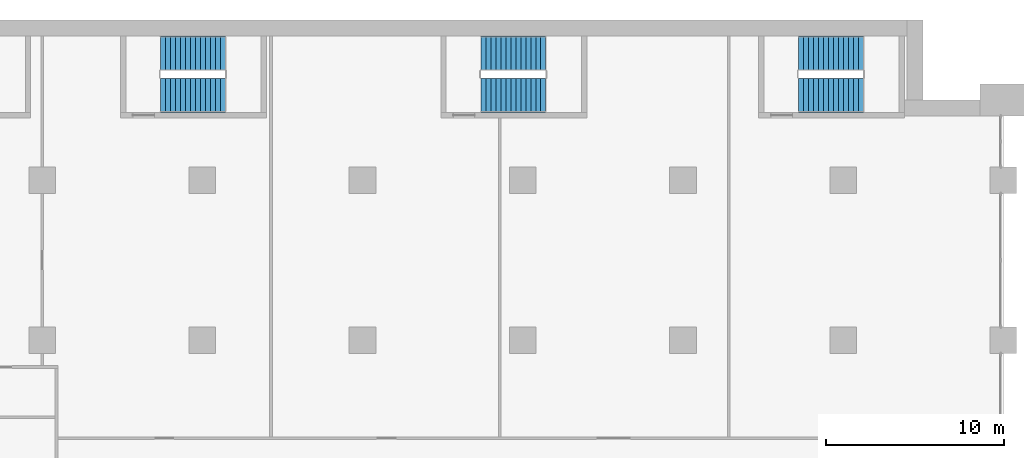
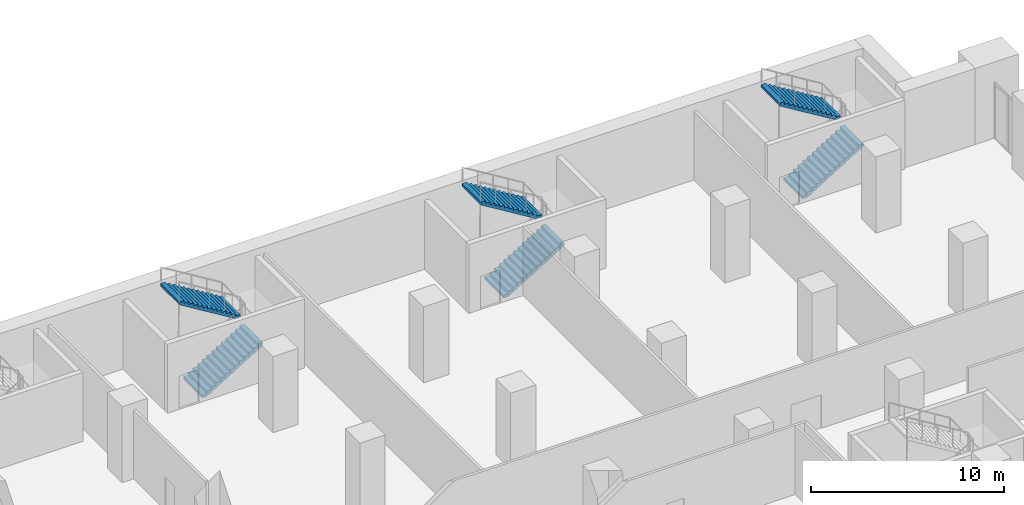
# One storey, part 23 of 32: 6 stair flights, 3 elements without a shape of their own.
"""IFC4 building model written with IfcOpenShell, lengths in metres."""

from ifc_helpers import new_model, si_unit, direction, frame, origin, place, context, subcontext, project, spatial, polyline, outline, extrude, material, type_object, element, aggregate, save


model = new_model("IFC4")

# Units and contexts
model_context = context("Model", 3, precision=1e-05, world=origin(), true_north=direction((0.0, 1.0)))
body_context = subcontext(model_context, "Body", "Model", "MODEL_VIEW")
ifc_project = project(units=[si_unit("LENGTHUNIT", "METRE"), si_unit("AREAUNIT", "SQUARE_METRE"), si_unit("VOLUMEUNIT", "CUBIC_METRE"), si_unit("PLANEANGLEUNIT", "RADIAN"), si_unit("MASSUNIT", "GRAM", prefix="KILO")], contexts=[model_context])

# Site, building, storey
site_placement = place(None, origin())
site = spatial("IfcSite", under=ifc_project, at=site_placement, CompositionType="ELEMENT")
building_placement = place(site_placement, origin())
building = spatial("IfcBuilding", under=site, at=building_placement, Name="Hunhe Ridgeline Campus", CompositionType="ELEMENT")
storey_placement = place(building_placement, frame((0.0, 0.0, 26.39990234375)))
storey = spatial("IfcBuildingStorey", under=building, at=storey_placement, Name="L05", CompositionType="ELEMENT", Elevation=26.39990234375)

# Stair, stair flights
ifc_material = material(Name="Concrete C40", Category="concrete")
stair_type = type_object("IfcStairType", Name="Reinforced concrete dog-leg stair 1950 Concrete C40", PredefinedType="HALF_TURN_STAIR", material=ifc_material)
stair_1_placement = place(storey_placement, origin())
stair_1 = element("IfcStair", 1, at=stair_1_placement, inside=storey, type_object=stair_type, Name="L05 E2", PredefinedType="HALF_TURN_STAIR")
stair_flight_type = type_object("IfcStairFlightType", Name="Reinforced concrete stair flight 1950 Concrete C40", PredefinedType="STRAIGHT", material=ifc_material)
stair_flight_1_placement = place(storey_placement, frame((51.64990234375, 94.77490234375, 0.0), z_axis=(0.0, 0.0, 1.0), x_axis=(1.0, 0.0, 0.0)))
stair_flight_1 = element("IfcStairFlight", 2, at=stair_flight_1_placement, type_object=stair_flight_type, Name="ST6 flight 1", NumberOfRisers=14, NumberOfTreads=13, PredefinedType="STRAIGHT", RiserHeight=0.171428571, TreadLength=0.28, context=body_context, shape_type="SweptSolid", body=[
    extrude(outline(polyline([(0.0, 0.0), (0.0, 0.17138671875), (0.280029296875, 0.17138671875), (0.280029296875, 0.3427734375), (0.56005859375, 0.3427734375), (0.56005859375, 0.514404296875), (0.840087890625, 0.514404296875), (0.840087890625, 0.685791015625), (1.1201171875, 0.685791015625), (1.1201171875, 0.857177734375), (1.39990234375, 0.857177734375), (1.39990234375, 1.028564453125), (1.679931640625, 1.028564453125), (1.679931640625, 1.199951171875), (1.9599609375, 1.199951171875), (1.9599609375, 1.371337890625), (2.239990234375, 1.371337890625), (2.239990234375, 1.54296875), (2.52001953125, 1.54296875), (2.52001953125, 1.71435546875), (2.800048828125, 1.71435546875), (2.800048828125, 1.8857421875), (3.080078125, 1.8857421875), (3.080078125, 2.05712890625), (3.360107421875, 2.05712890625), (3.360107421875, 2.228515625), (3.639892578125, 2.228515625), (3.639892578125, 2.39990234375), (3.639892578125, 2.052734375), (0.287109375, 0.0), (0.0, 0.0)])), frame((0.0, 0.97509765625, 0.0), z_axis=(0.0, -1.0, 0.0), x_axis=(1.0, 0.0, 0.0)), (0.0, 0.0, 1.0), 1.949951171875),
    extrude(outline(polyline([(0.030029296875, 0.030029296875), (0.030029296875, 0.141357421875), (0.31005859375, 0.141357421875), (0.31005859375, 0.31298828125), (0.590087890625, 0.31298828125), (0.590087890625, 0.484375), (0.8701171875, 0.484375), (0.8701171875, 0.65576171875), (1.14990234375, 0.65576171875), (1.14990234375, 0.8271484375), (1.429931640625, 0.8271484375), (1.429931640625, 0.99853515625), (1.7099609375, 0.99853515625), (1.7099609375, 1.169921875), (1.989990234375, 1.169921875), (1.989990234375, 1.34130859375), (2.27001953125, 1.34130859375), (2.27001953125, 1.512939453125), (2.550048828125, 1.512939453125), (2.550048828125, 1.684326171875), (2.830078125, 1.684326171875), (2.830078125, 1.855712890625), (3.110107421875, 1.855712890625), (3.110107421875, 2.027099609375), (3.389892578125, 2.027099609375), (3.389892578125, 2.198486328125), (3.610107421875, 2.198486328125), (3.610107421875, 2.069580078125), (0.278564453125, 0.030029296875), (0.030029296875, 0.030029296875)])), frame((0.0, -0.070068359375, 0.0), z_axis=(0.0, -1.0, 0.0), x_axis=(1.0, 0.0, 0.0)), (0.0, 0.0, 1.0), 0.019775390625),
    extrude(outline(polyline([(0.030029296875, 0.030029296875), (0.030029296875, 0.141357421875), (0.31005859375, 0.141357421875), (0.31005859375, 0.31298828125), (0.590087890625, 0.31298828125), (0.590087890625, 0.484375), (0.8701171875, 0.484375), (0.8701171875, 0.65576171875), (1.14990234375, 0.65576171875), (1.14990234375, 0.8271484375), (1.429931640625, 0.8271484375), (1.429931640625, 0.99853515625), (1.7099609375, 0.99853515625), (1.7099609375, 1.169921875), (1.989990234375, 1.169921875), (1.989990234375, 1.34130859375), (2.27001953125, 1.34130859375), (2.27001953125, 1.512939453125), (2.550048828125, 1.512939453125), (2.550048828125, 1.684326171875), (2.830078125, 1.684326171875), (2.830078125, 1.855712890625), (3.110107421875, 1.855712890625), (3.110107421875, 2.027099609375), (3.389892578125, 2.027099609375), (3.389892578125, 2.198486328125), (3.610107421875, 2.198486328125), (3.610107421875, 2.069580078125), (0.278564453125, 0.030029296875), (0.030029296875, 0.030029296875)])), frame((0.0, 0.010009765625, 0.0), z_axis=(0.0, -1.0, 0.0), x_axis=(1.0, 0.0, 0.0)), (0.0, 0.0, 1.0), 0.019775390625),
    extrude(outline(polyline([(0.030029296875, 0.030029296875), (0.030029296875, 0.141357421875), (0.31005859375, 0.141357421875), (0.31005859375, 0.31298828125), (0.590087890625, 0.31298828125), (0.590087890625, 0.484375), (0.8701171875, 0.484375), (0.8701171875, 0.65576171875), (1.14990234375, 0.65576171875), (1.14990234375, 0.8271484375), (1.429931640625, 0.8271484375), (1.429931640625, 0.99853515625), (1.7099609375, 0.99853515625), (1.7099609375, 1.169921875), (1.989990234375, 1.169921875), (1.989990234375, 1.34130859375), (2.27001953125, 1.34130859375), (2.27001953125, 1.512939453125), (2.550048828125, 1.512939453125), (2.550048828125, 1.684326171875), (2.830078125, 1.684326171875), (2.830078125, 1.855712890625), (3.110107421875, 1.855712890625), (3.110107421875, 2.027099609375), (3.389892578125, 2.027099609375), (3.389892578125, 2.198486328125), (3.610107421875, 2.198486328125), (3.610107421875, 2.069580078125), (0.278564453125, 0.030029296875), (0.030029296875, 0.030029296875)])), frame((0.0, 0.090087890625, 0.0), z_axis=(0.0, -1.0, 0.0), x_axis=(1.0, 0.0, 0.0)), (0.0, 0.0, 1.0), 0.019775390625),
])
stair_flight_2_placement = place(storey_placement, frame((55.2900390625, 97.125, 2.400146484375), z_axis=(0.0, 0.0, 1.0), x_axis=(-1.0, 0.0, 0.0)))
stair_flight_2 = element("IfcStairFlight", 3, at=stair_flight_2_placement, type_object=stair_flight_type, Name="ST6 flight 2", NumberOfRisers=14, NumberOfTreads=13, PredefinedType="STRAIGHT", RiserHeight=0.171428571, TreadLength=0.28, context=body_context, shape_type="SweptSolid", body=[
    extrude(outline(polyline([(0.0, 0.0), (0.0, 0.17138671875), (0.280029296875, 0.17138671875), (0.280029296875, 0.3427734375), (0.56005859375, 0.3427734375), (0.56005859375, 0.514404296875), (0.840087890625, 0.514404296875), (0.840087890625, 0.685791015625), (1.1201171875, 0.685791015625), (1.1201171875, 0.857177734375), (1.39990234375, 0.857177734375), (1.39990234375, 1.028564453125), (1.679931640625, 1.028564453125), (1.679931640625, 1.199951171875), (1.9599609375, 1.199951171875), (1.9599609375, 1.371337890625), (2.239990234375, 1.371337890625), (2.239990234375, 1.54296875), (2.52001953125, 1.54296875), (2.52001953125, 1.71435546875), (2.800048828125, 1.71435546875), (2.800048828125, 1.8857421875), (3.080078125, 1.8857421875), (3.080078125, 2.05712890625), (3.360107421875, 2.05712890625), (3.360107421875, 2.228515625), (3.639892578125, 2.228515625), (3.639892578125, 2.39990234375), (3.639892578125, 2.052734375), (0.287109375, 0.0), (0.0, 0.0)])), frame((0.0, 0.97509765625, 0.0), z_axis=(0.0, -1.0, 0.0), x_axis=(1.0, 0.0, 0.0)), (0.0, 0.0, 1.0), 1.949951171875),
    extrude(outline(polyline([(0.030029296875, 0.030029296875), (0.030029296875, 0.141357421875), (0.31005859375, 0.141357421875), (0.31005859375, 0.31298828125), (0.590087890625, 0.31298828125), (0.590087890625, 0.484375), (0.8701171875, 0.484375), (0.8701171875, 0.65576171875), (1.14990234375, 0.65576171875), (1.14990234375, 0.8271484375), (1.429931640625, 0.8271484375), (1.429931640625, 0.99853515625), (1.7099609375, 0.99853515625), (1.7099609375, 1.169921875), (1.989990234375, 1.169921875), (1.989990234375, 1.34130859375), (2.27001953125, 1.34130859375), (2.27001953125, 1.512939453125), (2.550048828125, 1.512939453125), (2.550048828125, 1.684326171875), (2.830078125, 1.684326171875), (2.830078125, 1.855712890625), (3.110107421875, 1.855712890625), (3.110107421875, 2.027099609375), (3.389892578125, 2.027099609375), (3.389892578125, 2.198486328125), (3.610107421875, 2.198486328125), (3.610107421875, 2.069580078125), (0.278564453125, 0.030029296875), (0.030029296875, 0.030029296875)])), frame((0.0, -0.070068359375, 0.0), z_axis=(0.0, -1.0, 0.0), x_axis=(1.0, 0.0, 0.0)), (0.0, 0.0, 1.0), 0.019775390625),
    extrude(outline(polyline([(0.030029296875, 0.030029296875), (0.030029296875, 0.141357421875), (0.31005859375, 0.141357421875), (0.31005859375, 0.31298828125), (0.590087890625, 0.31298828125), (0.590087890625, 0.484375), (0.8701171875, 0.484375), (0.8701171875, 0.65576171875), (1.14990234375, 0.65576171875), (1.14990234375, 0.8271484375), (1.429931640625, 0.8271484375), (1.429931640625, 0.99853515625), (1.7099609375, 0.99853515625), (1.7099609375, 1.169921875), (1.989990234375, 1.169921875), (1.989990234375, 1.34130859375), (2.27001953125, 1.34130859375), (2.27001953125, 1.512939453125), (2.550048828125, 1.512939453125), (2.550048828125, 1.684326171875), (2.830078125, 1.684326171875), (2.830078125, 1.855712890625), (3.110107421875, 1.855712890625), (3.110107421875, 2.027099609375), (3.389892578125, 2.027099609375), (3.389892578125, 2.198486328125), (3.610107421875, 2.198486328125), (3.610107421875, 2.069580078125), (0.278564453125, 0.030029296875), (0.030029296875, 0.030029296875)])), frame((0.0, 0.010009765625, 0.0), z_axis=(0.0, -1.0, 0.0), x_axis=(1.0, 0.0, 0.0)), (0.0, 0.0, 1.0), 0.019775390625),
    extrude(outline(polyline([(0.030029296875, 0.030029296875), (0.030029296875, 0.141357421875), (0.31005859375, 0.141357421875), (0.31005859375, 0.31298828125), (0.590087890625, 0.31298828125), (0.590087890625, 0.484375), (0.8701171875, 0.484375), (0.8701171875, 0.65576171875), (1.14990234375, 0.65576171875), (1.14990234375, 0.8271484375), (1.429931640625, 0.8271484375), (1.429931640625, 0.99853515625), (1.7099609375, 0.99853515625), (1.7099609375, 1.169921875), (1.989990234375, 1.169921875), (1.989990234375, 1.34130859375), (2.27001953125, 1.34130859375), (2.27001953125, 1.512939453125), (2.550048828125, 1.512939453125), (2.550048828125, 1.684326171875), (2.830078125, 1.684326171875), (2.830078125, 1.855712890625), (3.110107421875, 1.855712890625), (3.110107421875, 2.027099609375), (3.389892578125, 2.027099609375), (3.389892578125, 2.198486328125), (3.610107421875, 2.198486328125), (3.610107421875, 2.069580078125), (0.278564453125, 0.030029296875), (0.030029296875, 0.030029296875)])), frame((0.0, 0.090087890625, 0.0), z_axis=(0.0, -1.0, 0.0), x_axis=(1.0, 0.0, 0.0)), (0.0, 0.0, 1.0), 0.019775390625),
])
aggregate(stair_1, [stair_flight_1, stair_flight_2])

stair_2_placement = place(storey_placement, origin())
stair_2 = element("IfcStair", 4, at=stair_2_placement, inside=storey, type_object=stair_type, Name="L05 E3", PredefinedType="HALF_TURN_STAIR")
stair_flight_3_placement = place(storey_placement, frame((69.64990234375, 94.77490234375, 0.0), z_axis=(0.0, 0.0, 1.0), x_axis=(1.0, 0.0, 0.0)))
stair_flight_3 = element("IfcStairFlight", 5, at=stair_flight_3_placement, type_object=stair_flight_type, Name="ST7 flight 1", NumberOfRisers=14, NumberOfTreads=13, PredefinedType="STRAIGHT", RiserHeight=0.171428571, TreadLength=0.28, context=body_context, shape_type="SweptSolid", body=[
    extrude(outline(polyline([(0.0, 0.0), (0.0, 0.17138671875), (0.280029296875, 0.17138671875), (0.280029296875, 0.3427734375), (0.56005859375, 0.3427734375), (0.56005859375, 0.514404296875), (0.840087890625, 0.514404296875), (0.840087890625, 0.685791015625), (1.1201171875, 0.685791015625), (1.1201171875, 0.857177734375), (1.39990234375, 0.857177734375), (1.39990234375, 1.028564453125), (1.679931640625, 1.028564453125), (1.679931640625, 1.199951171875), (1.9599609375, 1.199951171875), (1.9599609375, 1.371337890625), (2.239990234375, 1.371337890625), (2.239990234375, 1.54296875), (2.52001953125, 1.54296875), (2.52001953125, 1.71435546875), (2.800048828125, 1.71435546875), (2.800048828125, 1.8857421875), (3.080078125, 1.8857421875), (3.080078125, 2.05712890625), (3.360107421875, 2.05712890625), (3.360107421875, 2.228515625), (3.639892578125, 2.228515625), (3.639892578125, 2.39990234375), (3.639892578125, 2.052734375), (0.287109375, 0.0), (0.0, 0.0)])), frame((0.0, 0.97509765625, 0.0), z_axis=(0.0, -1.0, 0.0), x_axis=(1.0, 0.0, 0.0)), (0.0, 0.0, 1.0), 1.949951171875),
    extrude(outline(polyline([(0.030029296875, 0.030029296875), (0.030029296875, 0.141357421875), (0.31005859375, 0.141357421875), (0.31005859375, 0.31298828125), (0.590087890625, 0.31298828125), (0.590087890625, 0.484375), (0.8701171875, 0.484375), (0.8701171875, 0.65576171875), (1.14990234375, 0.65576171875), (1.14990234375, 0.8271484375), (1.429931640625, 0.8271484375), (1.429931640625, 0.99853515625), (1.7099609375, 0.99853515625), (1.7099609375, 1.169921875), (1.989990234375, 1.169921875), (1.989990234375, 1.34130859375), (2.27001953125, 1.34130859375), (2.27001953125, 1.512939453125), (2.550048828125, 1.512939453125), (2.550048828125, 1.684326171875), (2.830078125, 1.684326171875), (2.830078125, 1.855712890625), (3.110107421875, 1.855712890625), (3.110107421875, 2.027099609375), (3.389892578125, 2.027099609375), (3.389892578125, 2.198486328125), (3.610107421875, 2.198486328125), (3.610107421875, 2.069580078125), (0.278564453125, 0.030029296875), (0.030029296875, 0.030029296875)])), frame((0.0, -0.070068359375, 0.0), z_axis=(0.0, -1.0, 0.0), x_axis=(1.0, 0.0, 0.0)), (0.0, 0.0, 1.0), 0.019775390625),
    extrude(outline(polyline([(0.030029296875, 0.030029296875), (0.030029296875, 0.141357421875), (0.31005859375, 0.141357421875), (0.31005859375, 0.31298828125), (0.590087890625, 0.31298828125), (0.590087890625, 0.484375), (0.8701171875, 0.484375), (0.8701171875, 0.65576171875), (1.14990234375, 0.65576171875), (1.14990234375, 0.8271484375), (1.429931640625, 0.8271484375), (1.429931640625, 0.99853515625), (1.7099609375, 0.99853515625), (1.7099609375, 1.169921875), (1.989990234375, 1.169921875), (1.989990234375, 1.34130859375), (2.27001953125, 1.34130859375), (2.27001953125, 1.512939453125), (2.550048828125, 1.512939453125), (2.550048828125, 1.684326171875), (2.830078125, 1.684326171875), (2.830078125, 1.855712890625), (3.110107421875, 1.855712890625), (3.110107421875, 2.027099609375), (3.389892578125, 2.027099609375), (3.389892578125, 2.198486328125), (3.610107421875, 2.198486328125), (3.610107421875, 2.069580078125), (0.278564453125, 0.030029296875), (0.030029296875, 0.030029296875)])), frame((0.0, 0.010009765625, 0.0), z_axis=(0.0, -1.0, 0.0), x_axis=(1.0, 0.0, 0.0)), (0.0, 0.0, 1.0), 0.019775390625),
    extrude(outline(polyline([(0.030029296875, 0.030029296875), (0.030029296875, 0.141357421875), (0.31005859375, 0.141357421875), (0.31005859375, 0.31298828125), (0.590087890625, 0.31298828125), (0.590087890625, 0.484375), (0.8701171875, 0.484375), (0.8701171875, 0.65576171875), (1.14990234375, 0.65576171875), (1.14990234375, 0.8271484375), (1.429931640625, 0.8271484375), (1.429931640625, 0.99853515625), (1.7099609375, 0.99853515625), (1.7099609375, 1.169921875), (1.989990234375, 1.169921875), (1.989990234375, 1.34130859375), (2.27001953125, 1.34130859375), (2.27001953125, 1.512939453125), (2.550048828125, 1.512939453125), (2.550048828125, 1.684326171875), (2.830078125, 1.684326171875), (2.830078125, 1.855712890625), (3.110107421875, 1.855712890625), (3.110107421875, 2.027099609375), (3.389892578125, 2.027099609375), (3.389892578125, 2.198486328125), (3.610107421875, 2.198486328125), (3.610107421875, 2.069580078125), (0.278564453125, 0.030029296875), (0.030029296875, 0.030029296875)])), frame((0.0, 0.090087890625, 0.0), z_axis=(0.0, -1.0, 0.0), x_axis=(1.0, 0.0, 0.0)), (0.0, 0.0, 1.0), 0.019775390625),
])
stair_flight_4_placement = place(storey_placement, frame((73.2900390625, 97.125, 2.400146484375), z_axis=(0.0, 0.0, 1.0), x_axis=(-1.0, 0.0, 0.0)))
stair_flight_4 = element("IfcStairFlight", 6, at=stair_flight_4_placement, type_object=stair_flight_type, Name="ST7 flight 2", NumberOfRisers=14, NumberOfTreads=13, PredefinedType="STRAIGHT", RiserHeight=0.171428571, TreadLength=0.28, context=body_context, shape_type="SweptSolid", body=[
    extrude(outline(polyline([(0.0, 0.0), (0.0, 0.17138671875), (0.280029296875, 0.17138671875), (0.280029296875, 0.3427734375), (0.56005859375, 0.3427734375), (0.56005859375, 0.514404296875), (0.840087890625, 0.514404296875), (0.840087890625, 0.685791015625), (1.1201171875, 0.685791015625), (1.1201171875, 0.857177734375), (1.39990234375, 0.857177734375), (1.39990234375, 1.028564453125), (1.679931640625, 1.028564453125), (1.679931640625, 1.199951171875), (1.9599609375, 1.199951171875), (1.9599609375, 1.371337890625), (2.239990234375, 1.371337890625), (2.239990234375, 1.54296875), (2.52001953125, 1.54296875), (2.52001953125, 1.71435546875), (2.800048828125, 1.71435546875), (2.800048828125, 1.8857421875), (3.080078125, 1.8857421875), (3.080078125, 2.05712890625), (3.360107421875, 2.05712890625), (3.360107421875, 2.228515625), (3.639892578125, 2.228515625), (3.639892578125, 2.39990234375), (3.639892578125, 2.052734375), (0.287109375, 0.0), (0.0, 0.0)])), frame((0.0, 0.97509765625, 0.0), z_axis=(0.0, -1.0, 0.0), x_axis=(1.0, 0.0, 0.0)), (0.0, 0.0, 1.0), 1.949951171875),
    extrude(outline(polyline([(0.030029296875, 0.030029296875), (0.030029296875, 0.141357421875), (0.31005859375, 0.141357421875), (0.31005859375, 0.31298828125), (0.590087890625, 0.31298828125), (0.590087890625, 0.484375), (0.8701171875, 0.484375), (0.8701171875, 0.65576171875), (1.14990234375, 0.65576171875), (1.14990234375, 0.8271484375), (1.429931640625, 0.8271484375), (1.429931640625, 0.99853515625), (1.7099609375, 0.99853515625), (1.7099609375, 1.169921875), (1.989990234375, 1.169921875), (1.989990234375, 1.34130859375), (2.27001953125, 1.34130859375), (2.27001953125, 1.512939453125), (2.550048828125, 1.512939453125), (2.550048828125, 1.684326171875), (2.830078125, 1.684326171875), (2.830078125, 1.855712890625), (3.110107421875, 1.855712890625), (3.110107421875, 2.027099609375), (3.389892578125, 2.027099609375), (3.389892578125, 2.198486328125), (3.610107421875, 2.198486328125), (3.610107421875, 2.069580078125), (0.278564453125, 0.030029296875), (0.030029296875, 0.030029296875)])), frame((0.0, -0.070068359375, 0.0), z_axis=(0.0, -1.0, 0.0), x_axis=(1.0, 0.0, 0.0)), (0.0, 0.0, 1.0), 0.019775390625),
    extrude(outline(polyline([(0.030029296875, 0.030029296875), (0.030029296875, 0.141357421875), (0.31005859375, 0.141357421875), (0.31005859375, 0.31298828125), (0.590087890625, 0.31298828125), (0.590087890625, 0.484375), (0.8701171875, 0.484375), (0.8701171875, 0.65576171875), (1.14990234375, 0.65576171875), (1.14990234375, 0.8271484375), (1.429931640625, 0.8271484375), (1.429931640625, 0.99853515625), (1.7099609375, 0.99853515625), (1.7099609375, 1.169921875), (1.989990234375, 1.169921875), (1.989990234375, 1.34130859375), (2.27001953125, 1.34130859375), (2.27001953125, 1.512939453125), (2.550048828125, 1.512939453125), (2.550048828125, 1.684326171875), (2.830078125, 1.684326171875), (2.830078125, 1.855712890625), (3.110107421875, 1.855712890625), (3.110107421875, 2.027099609375), (3.389892578125, 2.027099609375), (3.389892578125, 2.198486328125), (3.610107421875, 2.198486328125), (3.610107421875, 2.069580078125), (0.278564453125, 0.030029296875), (0.030029296875, 0.030029296875)])), frame((0.0, 0.010009765625, 0.0), z_axis=(0.0, -1.0, 0.0), x_axis=(1.0, 0.0, 0.0)), (0.0, 0.0, 1.0), 0.019775390625),
    extrude(outline(polyline([(0.030029296875, 0.030029296875), (0.030029296875, 0.141357421875), (0.31005859375, 0.141357421875), (0.31005859375, 0.31298828125), (0.590087890625, 0.31298828125), (0.590087890625, 0.484375), (0.8701171875, 0.484375), (0.8701171875, 0.65576171875), (1.14990234375, 0.65576171875), (1.14990234375, 0.8271484375), (1.429931640625, 0.8271484375), (1.429931640625, 0.99853515625), (1.7099609375, 0.99853515625), (1.7099609375, 1.169921875), (1.989990234375, 1.169921875), (1.989990234375, 1.34130859375), (2.27001953125, 1.34130859375), (2.27001953125, 1.512939453125), (2.550048828125, 1.512939453125), (2.550048828125, 1.684326171875), (2.830078125, 1.684326171875), (2.830078125, 1.855712890625), (3.110107421875, 1.855712890625), (3.110107421875, 2.027099609375), (3.389892578125, 2.027099609375), (3.389892578125, 2.198486328125), (3.610107421875, 2.198486328125), (3.610107421875, 2.069580078125), (0.278564453125, 0.030029296875), (0.030029296875, 0.030029296875)])), frame((0.0, 0.090087890625, 0.0), z_axis=(0.0, -1.0, 0.0), x_axis=(1.0, 0.0, 0.0)), (0.0, 0.0, 1.0), 0.019775390625),
])
aggregate(stair_2, [stair_flight_3, stair_flight_4])

stair_3_placement = place(storey_placement, origin())
stair_3 = element("IfcStair", 7, at=stair_3_placement, inside=storey, type_object=stair_type, Name="L05 E4", PredefinedType="HALF_TURN_STAIR")
stair_flight_5_placement = place(storey_placement, frame((87.5, 94.77490234375, 0.0), z_axis=(0.0, 0.0, 1.0), x_axis=(1.0, 0.0, 0.0)))
stair_flight_5 = element("IfcStairFlight", 8, at=stair_flight_5_placement, type_object=stair_flight_type, Name="ST8 flight 1", NumberOfRisers=14, NumberOfTreads=13, PredefinedType="STRAIGHT", RiserHeight=0.171428571, TreadLength=0.28, context=body_context, shape_type="SweptSolid", body=[
    extrude(outline(polyline([(0.0, 0.0), (0.0, 0.17138671875), (0.280029296875, 0.17138671875), (0.280029296875, 0.3427734375), (0.56005859375, 0.3427734375), (0.56005859375, 0.514404296875), (0.840087890625, 0.514404296875), (0.840087890625, 0.685791015625), (1.1201171875, 0.685791015625), (1.1201171875, 0.857177734375), (1.39990234375, 0.857177734375), (1.39990234375, 1.028564453125), (1.679931640625, 1.028564453125), (1.679931640625, 1.199951171875), (1.9599609375, 1.199951171875), (1.9599609375, 1.371337890625), (2.239990234375, 1.371337890625), (2.239990234375, 1.54296875), (2.52001953125, 1.54296875), (2.52001953125, 1.71435546875), (2.800048828125, 1.71435546875), (2.800048828125, 1.8857421875), (3.080078125, 1.8857421875), (3.080078125, 2.05712890625), (3.360107421875, 2.05712890625), (3.360107421875, 2.228515625), (3.639892578125, 2.228515625), (3.639892578125, 2.39990234375), (3.639892578125, 2.052734375), (0.287109375, 0.0), (0.0, 0.0)])), frame((0.0, 0.97509765625, 0.0), z_axis=(0.0, -1.0, 0.0), x_axis=(1.0, 0.0, 0.0)), (0.0, 0.0, 1.0), 1.949951171875),
    extrude(outline(polyline([(0.030029296875, 0.030029296875), (0.030029296875, 0.141357421875), (0.31005859375, 0.141357421875), (0.31005859375, 0.31298828125), (0.590087890625, 0.31298828125), (0.590087890625, 0.484375), (0.8701171875, 0.484375), (0.8701171875, 0.65576171875), (1.14990234375, 0.65576171875), (1.14990234375, 0.8271484375), (1.429931640625, 0.8271484375), (1.429931640625, 0.99853515625), (1.7099609375, 0.99853515625), (1.7099609375, 1.169921875), (1.989990234375, 1.169921875), (1.989990234375, 1.34130859375), (2.27001953125, 1.34130859375), (2.27001953125, 1.512939453125), (2.550048828125, 1.512939453125), (2.550048828125, 1.684326171875), (2.830078125, 1.684326171875), (2.830078125, 1.855712890625), (3.110107421875, 1.855712890625), (3.110107421875, 2.027099609375), (3.389892578125, 2.027099609375), (3.389892578125, 2.198486328125), (3.610107421875, 2.198486328125), (3.610107421875, 2.069580078125), (0.278564453125, 0.030029296875), (0.030029296875, 0.030029296875)])), frame((0.0, -0.070068359375, 0.0), z_axis=(0.0, -1.0, 0.0), x_axis=(1.0, 0.0, 0.0)), (0.0, 0.0, 1.0), 0.019775390625),
    extrude(outline(polyline([(0.030029296875, 0.030029296875), (0.030029296875, 0.141357421875), (0.31005859375, 0.141357421875), (0.31005859375, 0.31298828125), (0.590087890625, 0.31298828125), (0.590087890625, 0.484375), (0.8701171875, 0.484375), (0.8701171875, 0.65576171875), (1.14990234375, 0.65576171875), (1.14990234375, 0.8271484375), (1.429931640625, 0.8271484375), (1.429931640625, 0.99853515625), (1.7099609375, 0.99853515625), (1.7099609375, 1.169921875), (1.989990234375, 1.169921875), (1.989990234375, 1.34130859375), (2.27001953125, 1.34130859375), (2.27001953125, 1.512939453125), (2.550048828125, 1.512939453125), (2.550048828125, 1.684326171875), (2.830078125, 1.684326171875), (2.830078125, 1.855712890625), (3.110107421875, 1.855712890625), (3.110107421875, 2.027099609375), (3.389892578125, 2.027099609375), (3.389892578125, 2.198486328125), (3.610107421875, 2.198486328125), (3.610107421875, 2.069580078125), (0.278564453125, 0.030029296875), (0.030029296875, 0.030029296875)])), frame((0.0, 0.010009765625, 0.0), z_axis=(0.0, -1.0, 0.0), x_axis=(1.0, 0.0, 0.0)), (0.0, 0.0, 1.0), 0.019775390625),
    extrude(outline(polyline([(0.030029296875, 0.030029296875), (0.030029296875, 0.141357421875), (0.31005859375, 0.141357421875), (0.31005859375, 0.31298828125), (0.590087890625, 0.31298828125), (0.590087890625, 0.484375), (0.8701171875, 0.484375), (0.8701171875, 0.65576171875), (1.14990234375, 0.65576171875), (1.14990234375, 0.8271484375), (1.429931640625, 0.8271484375), (1.429931640625, 0.99853515625), (1.7099609375, 0.99853515625), (1.7099609375, 1.169921875), (1.989990234375, 1.169921875), (1.989990234375, 1.34130859375), (2.27001953125, 1.34130859375), (2.27001953125, 1.512939453125), (2.550048828125, 1.512939453125), (2.550048828125, 1.684326171875), (2.830078125, 1.684326171875), (2.830078125, 1.855712890625), (3.110107421875, 1.855712890625), (3.110107421875, 2.027099609375), (3.389892578125, 2.027099609375), (3.389892578125, 2.198486328125), (3.610107421875, 2.198486328125), (3.610107421875, 2.069580078125), (0.278564453125, 0.030029296875), (0.030029296875, 0.030029296875)])), frame((0.0, 0.090087890625, 0.0), z_axis=(0.0, -1.0, 0.0), x_axis=(1.0, 0.0, 0.0)), (0.0, 0.0, 1.0), 0.019775390625),
])
stair_flight_6_placement = place(storey_placement, frame((91.139892578125, 97.125, 2.400146484375), z_axis=(0.0, 0.0, 1.0), x_axis=(-1.0, 0.0, 0.0)))
stair_flight_6 = element("IfcStairFlight", 9, at=stair_flight_6_placement, type_object=stair_flight_type, Name="ST8 flight 2", NumberOfRisers=14, NumberOfTreads=13, PredefinedType="STRAIGHT", RiserHeight=0.171428571, TreadLength=0.28, context=body_context, shape_type="SweptSolid", body=[
    extrude(outline(polyline([(0.0, 0.0), (0.0, 0.17138671875), (0.280029296875, 0.17138671875), (0.280029296875, 0.3427734375), (0.56005859375, 0.3427734375), (0.56005859375, 0.514404296875), (0.840087890625, 0.514404296875), (0.840087890625, 0.685791015625), (1.1201171875, 0.685791015625), (1.1201171875, 0.857177734375), (1.39990234375, 0.857177734375), (1.39990234375, 1.028564453125), (1.679931640625, 1.028564453125), (1.679931640625, 1.199951171875), (1.9599609375, 1.199951171875), (1.9599609375, 1.371337890625), (2.239990234375, 1.371337890625), (2.239990234375, 1.54296875), (2.52001953125, 1.54296875), (2.52001953125, 1.71435546875), (2.800048828125, 1.71435546875), (2.800048828125, 1.8857421875), (3.080078125, 1.8857421875), (3.080078125, 2.05712890625), (3.360107421875, 2.05712890625), (3.360107421875, 2.228515625), (3.639892578125, 2.228515625), (3.639892578125, 2.39990234375), (3.639892578125, 2.052734375), (0.287109375, 0.0), (0.0, 0.0)])), frame((0.0, 0.97509765625, 0.0), z_axis=(0.0, -1.0, 0.0), x_axis=(1.0, 0.0, 0.0)), (0.0, 0.0, 1.0), 1.949951171875),
    extrude(outline(polyline([(0.030029296875, 0.030029296875), (0.030029296875, 0.141357421875), (0.31005859375, 0.141357421875), (0.31005859375, 0.31298828125), (0.590087890625, 0.31298828125), (0.590087890625, 0.484375), (0.8701171875, 0.484375), (0.8701171875, 0.65576171875), (1.14990234375, 0.65576171875), (1.14990234375, 0.8271484375), (1.429931640625, 0.8271484375), (1.429931640625, 0.99853515625), (1.7099609375, 0.99853515625), (1.7099609375, 1.169921875), (1.989990234375, 1.169921875), (1.989990234375, 1.34130859375), (2.27001953125, 1.34130859375), (2.27001953125, 1.512939453125), (2.550048828125, 1.512939453125), (2.550048828125, 1.684326171875), (2.830078125, 1.684326171875), (2.830078125, 1.855712890625), (3.110107421875, 1.855712890625), (3.110107421875, 2.027099609375), (3.389892578125, 2.027099609375), (3.389892578125, 2.198486328125), (3.610107421875, 2.198486328125), (3.610107421875, 2.069580078125), (0.278564453125, 0.030029296875), (0.030029296875, 0.030029296875)])), frame((0.0, -0.070068359375, 0.0), z_axis=(0.0, -1.0, 0.0), x_axis=(1.0, 0.0, 0.0)), (0.0, 0.0, 1.0), 0.019775390625),
    extrude(outline(polyline([(0.030029296875, 0.030029296875), (0.030029296875, 0.141357421875), (0.31005859375, 0.141357421875), (0.31005859375, 0.31298828125), (0.590087890625, 0.31298828125), (0.590087890625, 0.484375), (0.8701171875, 0.484375), (0.8701171875, 0.65576171875), (1.14990234375, 0.65576171875), (1.14990234375, 0.8271484375), (1.429931640625, 0.8271484375), (1.429931640625, 0.99853515625), (1.7099609375, 0.99853515625), (1.7099609375, 1.169921875), (1.989990234375, 1.169921875), (1.989990234375, 1.34130859375), (2.27001953125, 1.34130859375), (2.27001953125, 1.512939453125), (2.550048828125, 1.512939453125), (2.550048828125, 1.684326171875), (2.830078125, 1.684326171875), (2.830078125, 1.855712890625), (3.110107421875, 1.855712890625), (3.110107421875, 2.027099609375), (3.389892578125, 2.027099609375), (3.389892578125, 2.198486328125), (3.610107421875, 2.198486328125), (3.610107421875, 2.069580078125), (0.278564453125, 0.030029296875), (0.030029296875, 0.030029296875)])), frame((0.0, 0.010009765625, 0.0), z_axis=(0.0, -1.0, 0.0), x_axis=(1.0, 0.0, 0.0)), (0.0, 0.0, 1.0), 0.019775390625),
    extrude(outline(polyline([(0.030029296875, 0.030029296875), (0.030029296875, 0.141357421875), (0.31005859375, 0.141357421875), (0.31005859375, 0.31298828125), (0.590087890625, 0.31298828125), (0.590087890625, 0.484375), (0.8701171875, 0.484375), (0.8701171875, 0.65576171875), (1.14990234375, 0.65576171875), (1.14990234375, 0.8271484375), (1.429931640625, 0.8271484375), (1.429931640625, 0.99853515625), (1.7099609375, 0.99853515625), (1.7099609375, 1.169921875), (1.989990234375, 1.169921875), (1.989990234375, 1.34130859375), (2.27001953125, 1.34130859375), (2.27001953125, 1.512939453125), (2.550048828125, 1.512939453125), (2.550048828125, 1.684326171875), (2.830078125, 1.684326171875), (2.830078125, 1.855712890625), (3.110107421875, 1.855712890625), (3.110107421875, 2.027099609375), (3.389892578125, 2.027099609375), (3.389892578125, 2.198486328125), (3.610107421875, 2.198486328125), (3.610107421875, 2.069580078125), (0.278564453125, 0.030029296875), (0.030029296875, 0.030029296875)])), frame((0.0, 0.090087890625, 0.0), z_axis=(0.0, -1.0, 0.0), x_axis=(1.0, 0.0, 0.0)), (0.0, 0.0, 1.0), 0.019775390625),
])
aggregate(stair_3, [stair_flight_5, stair_flight_6])

save(model, "model.ifc")
